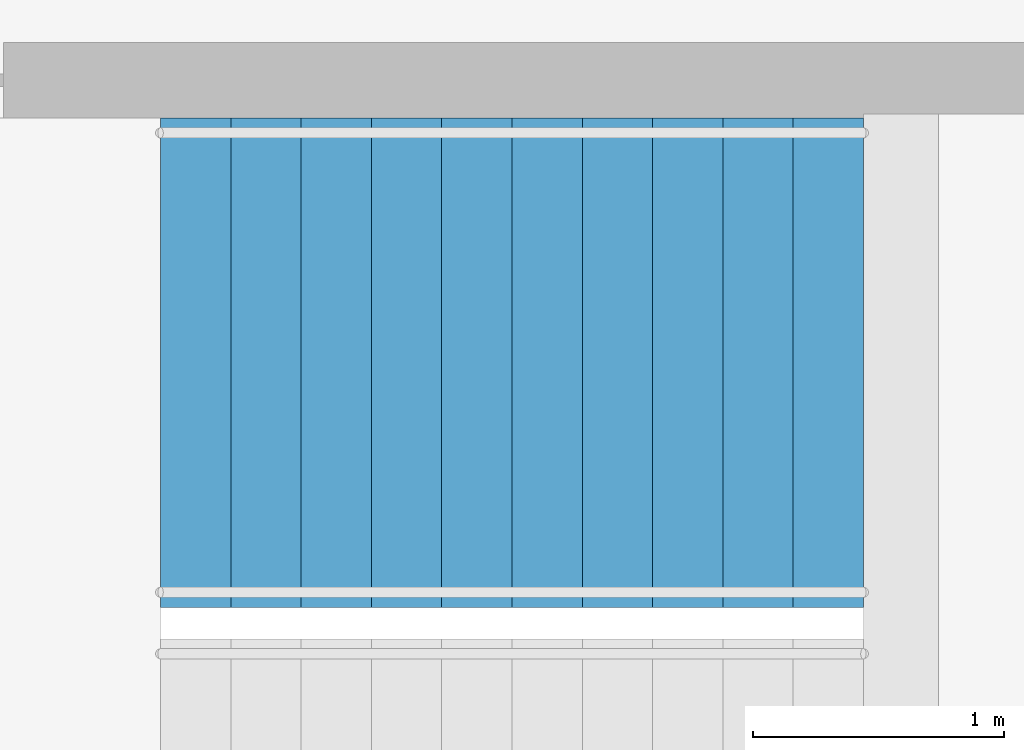
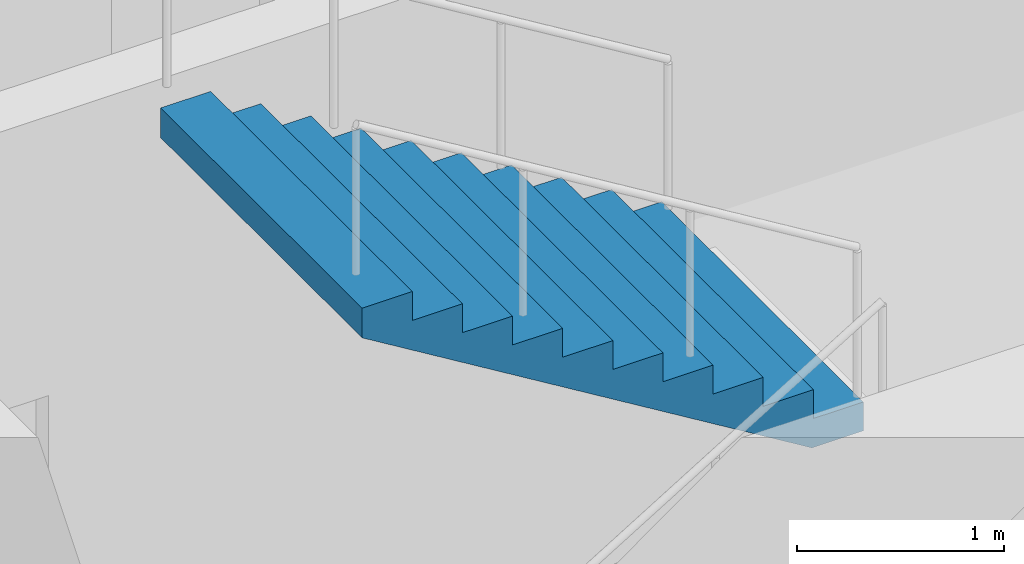
# One storey, part 19 of 22: 1 stair flight, 1 element without a shape of its own.
"""IFC4 building model written with IfcOpenShell, lengths in metres."""

import ifcopenshell
import ifcopenshell.guid

model = None  # the IFC model being written
_history = None  # IfcOwnerHistory: only IFC2X3 demands one
_inside = {}  # id of a spatial element -> (the spatial element, [elements in it])
_under = {}  # id of a project, library or spatial element -> (it, [spatial elements below it])
_declared = {}  # id of a project -> (the project, [libraries it declares])
_typed = {}  # id of a type object -> (the type object, [elements of that type])
_made_of = {}  # id of a material, layer set ... -> (it, [elements and type objects made of it])


def new_model(schema):
    """Start an empty IFC model of exactly this schema.

    Asked for "IFC4X3", IfcOpenShell would pick the latest addendum, in which some entities
    have other attributes; the version numbers below select the first issue.
    IFC2X3 requires an IfcOwnerHistory on every rooted entity: one is made here for all.
    """
    global model, _history
    if schema == "IFC4X3":
        model = ifcopenshell.file(schema_version=(4, 3, 0, 0))
    else:
        model = ifcopenshell.file(schema=schema)
    _inside.clear()
    _under.clear()
    _declared.clear()
    _typed.clear()
    _made_of.clear()
    _history = None
    if model.schema == "IFC2X3":
        org = make("IfcOrganization", Name="unknown")
        user = make(
            "IfcPersonAndOrganization",
            ThePerson=make("IfcPerson", FamilyName="unknown"),
            TheOrganization=org,
        )
        app = make(
            "IfcApplication",
            ApplicationDeveloper=org,
            Version="unknown",
            ApplicationFullName="unknown",
            ApplicationIdentifier="unknown",
        )
        _history = make(
            "IfcOwnerHistory",
            OwningUser=user,
            OwningApplication=app,
            ChangeAction="ADDED",
            CreationDate=0,
        )
    return model


def make(cls, **values):
    """One entity of the class cls with the attributes given. An attribute that is None is left unset."""
    return model.create_entity(
        cls, **{name: value for name, value in values.items() if value is not None}
    )


def rooted(cls, **values):
    """An entity with a GlobalId (a new one), such as an element, a storey or a relation."""
    return make(cls, GlobalId=ifcopenshell.guid.new(), OwnerHistory=_history, **values)


def si_unit(unit_type, name, prefix=None):
    """IfcSIUnit, for example si_unit("LENGTHUNIT", "METRE", prefix="MILLI")."""
    return make("IfcSIUnit", UnitType=unit_type, Prefix=prefix, Name=name)


def assignment(units):
    """IfcUnitAssignment: the units of a project."""
    return None if units is None else make("IfcUnitAssignment", Units=units)


def point(xyz):
    """IfcCartesianPoint."""
    return None if xyz is None else make("IfcCartesianPoint", Coordinates=xyz)


def direction(xyz):
    """IfcDirection."""
    return None if xyz is None else make("IfcDirection", DirectionRatios=xyz)


def frame(location, z_axis=None, x_axis=None):
    """IfcAxis2Placement3D, a coordinate frame: its origin and axes. An axis left out is left unset."""
    return make(
        "IfcAxis2Placement3D",
        Location=point(location),
        Axis=direction(z_axis),
        RefDirection=direction(x_axis),
    )


def origin():
    """The frame at (0, 0, 0) with its axes left unset."""
    return frame((0.0, 0.0, 0.0))


def place(relative_to, where):
    """IfcLocalPlacement: puts the frame where relative to a parent placement (None: the world)."""
    return make(
        "IfcLocalPlacement", PlacementRelTo=relative_to, RelativePlacement=where
    )


def context(
    kind, dimensions, precision=None, world=None, true_north=None, identifier=None
):
    """IfcGeometricRepresentationContext, for example the 3D "Model" context."""
    return make(
        "IfcGeometricRepresentationContext",
        ContextIdentifier=identifier,
        ContextType=kind,
        CoordinateSpaceDimension=dimensions,
        Precision=precision,
        WorldCoordinateSystem=world,
        TrueNorth=true_north,
    )


def subcontext(parent, identifier, kind, view, scale=None):
    """IfcGeometricRepresentationSubContext, for example "Body" below "Model"."""
    return make(
        "IfcGeometricRepresentationSubContext",
        ContextIdentifier=identifier,
        ContextType=kind,
        ParentContext=parent,
        TargetScale=scale,
        TargetView=view,
    )


def project(units=None, contexts=None):
    """IfcProject with its units and contexts."""
    return rooted(
        "IfcProject",
        Name="project",
        RepresentationContexts=contexts,
        UnitsInContext=assignment(units),
    )


def spatial(cls, under=None, at=None, **own):
    """A site, building, storey or space (cls), placed at a placement, below another one or the project."""
    s = rooted(cls, ObjectPlacement=at, **own)
    if under is not None:
        _under.setdefault(under.id(), (under, []))[1].append(s)
    return s


def point_list(points):
    """IfcCartesianPointList2D or 3D."""
    cls = (
        "IfcCartesianPointList2D" if len(points[0]) == 2 else "IfcCartesianPointList3D"
    )
    return make(cls, CoordList=points)


def triangles(points, corners, closed=None, point_numbers=None):
    """IfcTriangulatedFaceSet: each triangle names its three corners, points numbered from 1."""
    return make(
        "IfcTriangulatedFaceSet",
        Coordinates=point_list(points),
        Closed=closed,
        CoordIndex=corners,
        PnIndex=point_numbers,
    )


def shape(context_of_items, identifier, shape_type, items):
    """IfcShapeRepresentation: the items that make up one representation, for example the "Body"."""
    return make(
        "IfcShapeRepresentation",
        ContextOfItems=context_of_items,
        RepresentationIdentifier=identifier,
        RepresentationType=shape_type,
        Items=items,
    )


def material(Name=None, Category=None):
    """IfcMaterial."""
    return make("IfcMaterial", Name=Name, Category=Category)


def made_of(thing, what):
    """Note that an element or type object is made of a material, layer set ...; save() writes the relation."""
    if what is not None:
        _made_of.setdefault(what.id(), (what, []))[1].append(thing)
    return thing


def type_object(cls, material=None, **own):
    """A type object (cls), such as IfcWallType, which elements share."""
    return made_of(rooted(cls, **own), material)


def element(
    cls,
    number,
    at=None,
    inside=None,
    cuts=None,
    type_object=None,
    material=None,
    context=None,
    identifier="Body",
    shape_type=None,
    held_by="IfcProductDefinitionShape",
    body=None,
    shapes=None,
    **own,
):
    """One element of the class cls, such as IfcWall. Its Tag is "e" and its number.

    at: its placement. inside: the storey or other place that contains it. cuts: it is an
    opening in that element (IfcRelVoidsElement). A single representation is given by context,
    identifier, shape_type and body (its items); several are given by shapes. held_by: the class
    of the entity that holds the representations. save() writes the other relations.
    """
    e = rooted(cls, Tag="e%d" % number, ObjectPlacement=at, **own)
    if body is not None:
        shapes = [shape(context, identifier, shape_type, body)]
    if shapes is not None:
        e.Representation = make(held_by, Representations=shapes)
    if inside is not None:
        _inside.setdefault(inside.id(), (inside, []))[1].append(e)
    if cuts is not None:
        rooted(
            "IfcRelVoidsElement", RelatingBuildingElement=cuts, RelatedOpeningElement=e
        )
    if type_object is not None:
        _typed.setdefault(type_object.id(), (type_object, []))[1].append(e)
    return made_of(e, material)


def aggregate(whole, parts):
    """IfcRelAggregates: a whole, such as a stair, and the parts it consists of."""
    return rooted("IfcRelAggregates", RelatingObject=whole, RelatedObjects=parts)


def save(model, path):
    """Write the relations noted so far, then the file.

    IfcRelAggregates (storeys below a building ...), IfcRelContainedInSpatialStructure (elements
    in a storey), IfcRelDefinesByType, IfcRelAssociatesMaterial and IfcRelDeclares: one each for
    every whole, place, type object, material and project.
    """
    for whole, parts in _under.values():
        aggregate(whole, parts)
    for where, things in _inside.values():
        rooted(
            "IfcRelContainedInSpatialStructure",
            RelatedElements=things,
            RelatingStructure=where,
        )
    for kind, things in _typed.values():
        rooted("IfcRelDefinesByType", RelatedObjects=things, RelatingType=kind)
    for what, things in _made_of.values():
        rooted("IfcRelAssociatesMaterial", RelatedObjects=things, RelatingMaterial=what)
    for by, libraries in _declared.values():
        rooted("IfcRelDeclares", RelatingContext=by, RelatedDefinitions=libraries)
    model.write(path)


model = new_model("IFC4")

# Units and contexts
model_context = context("Model", 3, precision=1e-05, world=origin(), true_north=direction((0.0, 1.0)))
body_context = subcontext(model_context, "Body", "Model", "MODEL_VIEW")
ifc_project = project(units=[si_unit("LENGTHUNIT", "METRE"), si_unit("AREAUNIT", "SQUARE_METRE"), si_unit("VOLUMEUNIT", "CUBIC_METRE"), si_unit("PLANEANGLEUNIT", "RADIAN"), si_unit("MASSUNIT", "GRAM", prefix="KILO")], contexts=[model_context])

# Site, building, storey
site_placement = place(None, origin())
site = spatial("IfcSite", under=ifc_project, at=site_placement, CompositionType="ELEMENT")
building_placement = place(site_placement, origin())
building = spatial("IfcBuilding", under=site, at=building_placement, Name="Orbita Commons", CompositionType="ELEMENT")
storey_placement = place(building_placement, frame((0.0, 0.0, 159.85009765625)))
storey = spatial("IfcBuildingStorey", under=building, at=storey_placement, Name="L39", CompositionType="ELEMENT", Elevation=159.85009765625)

# Stair, stair flight
ifc_material_1 = material(Name="Precast concrete C40/50", Category="concrete")
stair_type = type_object("IfcStairType", Name="Exit stair S1 2 flights 11 risers 170", PredefinedType="HALF_TURN_STAIR", material=ifc_material_1)
stair_placement = place(storey_placement, origin())
stair = element("IfcStair", 1, at=stair_placement, inside=storey, type_object=stair_type, Name="Exit stair S1 L39", PredefinedType="HALF_TURN_STAIR")
ifc_material_2 = material(Name="Precast concrete C40/50", Category="concrete")
stair_flight_type = type_object("IfcStairFlightType", Name="Stair flight 11 risers 170 x 280", PredefinedType="STRAIGHT", material=ifc_material_2)
stair_flight_placement = place(storey_placement, frame((23.25, 29.27490234375, 1.875), z_axis=(0.0, 0.0, 1.0), x_axis=(-1.0, 0.0, 0.0)))
stair_flight = element("IfcStairFlight", 2, at=stair_flight_placement, type_object=stair_flight_type, Name="S1 flight 2", NumberOfRisers=11, NumberOfTreads=10, PredefinedType="STRAIGHT", RiserHeight=0.170454545, TreadLength=0.28, context=body_context, shape_type="Tessellation", body=[
    triangles([(0.0, 0.974976, 0.0), (0.0, 0.974976, 0.021307), (0.0, 0.81248, 0.021307), (0.0, 0.81248, 0.0), (0.0, 0.649984, 0.021307), (0.0, 0.649984, 0.0), (0.0, 0.487488, 0.021307), (0.0, 0.487488, 0.0), (0.0, 0.324992, 0.021307), (0.0, 0.324992, 0.0), (0.0, 0.162496, 0.021307), (0.0, 0.162496, 0.0), (0.0, 0.0, 0.021307), (0.0, 0.0, 0.0), (0.0, -0.162496, 0.021307), (0.0, -0.162496, 0.0), (0.0, -0.324992, 0.021307), (0.0, -0.324992, 0.0), (0.0, -0.487488, 0.021307), (0.0, -0.487488, 0.0), (0.0, -0.649984, 0.021307), (0.0, -0.649984, 0.0), (0.0, -0.81248, 0.021307), (0.0, -0.81248, 0.0), (0.0, -0.974976, 0.021307), (0.0, -0.974976, 0.0), (0.0, 0.974976, 0.042614), (0.0, 0.81248, 0.042614), (0.0, 0.649984, 0.042614), (0.0, 0.487488, 0.042614), (0.0, 0.324992, 0.042614), (0.0, 0.162496, 0.042614), (0.0, 0.0, 0.042614), (0.0, -0.162496, 0.042614), (0.0, -0.324992, 0.042614), (0.0, -0.487488, 0.042614), (0.0, -0.649984, 0.042614), (0.0, -0.81248, 0.042614), (0.0, -0.974976, 0.042614), (0.0, 0.974976, 0.06392), (0.0, 0.81248, 0.06392), (0.0, 0.649984, 0.06392), (0.0, 0.487488, 0.06392), (0.0, 0.324992, 0.06392), (0.0, 0.162496, 0.06392), (0.0, 0.0, 0.06392), (0.0, -0.162496, 0.06392), (0.0, -0.324992, 0.06392), (0.0, -0.487488, 0.06392), (0.0, -0.649984, 0.06392), (0.0, -0.81248, 0.06392), (0.0, -0.974976, 0.06392), (0.0, 0.974976, 0.085227), (0.0, 0.81248, 0.085227), (0.0, 0.649984, 0.085227), (0.0, 0.487488, 0.085227), (0.0, 0.324992, 0.085227), (0.0, 0.162496, 0.085227), (0.0, 0.0, 0.085227), (0.0, -0.162496, 0.085227), (0.0, -0.324992, 0.085227), (0.0, -0.487488, 0.085227), (0.0, -0.649984, 0.085227), (0.0, -0.81248, 0.085227), (0.0, -0.974976, 0.085227), (0.0, 0.974976, 0.106534), (0.0, 0.81248, 0.106534), (0.0, 0.649984, 0.106534), (0.0, 0.487488, 0.106534), (0.0, 0.324992, 0.106534), (0.0, 0.162496, 0.106534), (0.0, 0.0, 0.106534), (0.0, -0.162496, 0.106534), (0.0, -0.324992, 0.106534), (0.0, -0.487488, 0.106534), (0.0, -0.649984, 0.106534), (0.0, -0.81248, 0.106534), (0.0, -0.974976, 0.106534), (0.0, 0.974976, 0.127841), (0.0, 0.81248, 0.127841), (0.0, 0.649984, 0.127841), (0.0, 0.487488, 0.127841), (0.0, 0.324992, 0.127841), (0.0, 0.162496, 0.127841), (0.0, 0.0, 0.127841), (0.0, -0.162496, 0.127841), (0.0, -0.324992, 0.127841), (0.0, -0.487488, 0.127841), (0.0, -0.649984, 0.127841), (0.0, -0.81248, 0.127841), (0.0, -0.974976, 0.127841), (0.0, 0.974976, 0.149148), (0.0, 0.81248, 0.149148), (0.0, 0.649984, 0.149148), (0.0, 0.487488, 0.149148), (0.0, 0.324992, 0.149148), (0.0, 0.162496, 0.149148), (0.0, 0.0, 0.149148), (0.0, -0.162496, 0.149148), (0.0, -0.324992, 0.149148), (0.0, -0.487488, 0.149148), (0.0, -0.649984, 0.149148), (0.0, -0.81248, 0.149148), (0.0, -0.974976, 0.149148), (0.0, 0.974976, 0.170455), (0.0, 0.81248, 0.170455), (0.0, 0.649984, 0.170455), (0.0, 0.487488, 0.170455), (0.0, 0.324992, 0.170455), (0.0, 0.162496, 0.170455), (0.0, 0.0, 0.170455), (0.0, -0.162496, 0.170455), (0.0, -0.324992, 0.170455), (0.0, -0.487488, 0.170455), (0.0, -0.649984, 0.170455), (0.0, -0.81248, 0.170455), (0.0, -0.974976, 0.170455), (0.28, 0.974976, 0.170455), (0.28, 0.81248, 0.170455), (0.28, 0.649984, 0.170455), (0.28, 0.487488, 0.170455), (0.28, 0.324992, 0.170455), (0.28, 0.162496, 0.170455), (0.28, 0.0, 0.170455), (0.28, -0.162496, 0.170455), (0.28, -0.324992, 0.170455), (0.28, -0.487488, 0.170455), (0.28, -0.649984, 0.170455), (0.28, -0.81248, 0.170455), (0.28, -0.974976, 0.170455), (0.28, 0.974976, 0.340909), (0.28, 0.81248, 0.340909), (0.28, 0.649984, 0.340909), (0.28, 0.487488, 0.340909), (0.28, 0.324992, 0.340909), (0.28, 0.162496, 0.340909), (0.28, 0.0, 0.340909), (0.28, -0.162496, 0.340909), (0.28, -0.324992, 0.340909), (0.28, -0.487488, 0.340909), (0.28, -0.649984, 0.340909), (0.28, -0.81248, 0.340909), (0.28, -0.974976, 0.340909), (0.56, 0.974976, 0.340909), (0.56, 0.81248, 0.340909), (0.56, 0.649984, 0.340909), (0.56, 0.487488, 0.340909), (0.56, 0.324992, 0.340909), (0.56, 0.162496, 0.340909), (0.56, 0.0, 0.340909), (0.56, -0.162496, 0.340909), (0.56, -0.324992, 0.340909), (0.56, -0.487488, 0.340909), (0.56, -0.649984, 0.340909), (0.56, -0.81248, 0.340909), (0.56, -0.974976, 0.340909), (0.56, 0.974976, 0.511364), (0.56, 0.81248, 0.511364), (0.56, 0.649984, 0.511364), (0.56, 0.487488, 0.511364), (0.56, 0.324992, 0.511364), (0.56, 0.162496, 0.511364), (0.56, 0.0, 0.511364), (0.56, -0.162496, 0.511364), (0.56, -0.324992, 0.511364), (0.56, -0.487488, 0.511364), (0.56, -0.649984, 0.511364), (0.56, -0.81248, 0.511364), (0.56, -0.974976, 0.511364), (0.84, 0.974976, 0.511364), (0.84, 0.81248, 0.511364), (0.84, 0.649984, 0.511364), (0.84, 0.487488, 0.511364), (0.84, 0.324992, 0.511364), (0.84, 0.162496, 0.511364), (0.84, 0.0, 0.511364), (0.84, -0.162496, 0.511364), (0.84, -0.324992, 0.511364), (0.84, -0.487488, 0.511364), (0.84, -0.649984, 0.511364), (0.84, -0.81248, 0.511364), (0.84, -0.974976, 0.511364), (0.84, 0.974976, 0.681818), (0.84, 0.81248, 0.681818), (0.84, 0.649984, 0.681818), (0.84, 0.487488, 0.681818), (0.84, 0.324992, 0.681818), (0.84, 0.162496, 0.681818), (0.84, 0.0, 0.681818), (0.84, -0.162496, 0.681818), (0.84, -0.324992, 0.681818), (0.84, -0.487488, 0.681818), (0.84, -0.649984, 0.681818), (0.84, -0.81248, 0.681818), (0.84, -0.974976, 0.681818), (1.12, 0.974976, 0.681818), (1.12, 0.81248, 0.681818), (1.12, 0.649984, 0.681818), (1.12, 0.487488, 0.681818), (1.12, 0.324992, 0.681818), (1.12, 0.162496, 0.681818), (1.12, 0.0, 0.681818), (1.12, -0.162496, 0.681818), (1.12, -0.324992, 0.681818), (1.12, -0.487488, 0.681818), (1.12, -0.649984, 0.681818), (1.12, -0.81248, 0.681818), (1.12, -0.974976, 0.681818), (1.12, 0.974976, 0.852273), (1.12, 0.81248, 0.852273), (1.12, 0.649984, 0.852273), (1.12, 0.487488, 0.852273), (1.12, 0.324992, 0.852273), (1.12, 0.162496, 0.852273), (1.12, 0.0, 0.852273), (1.12, -0.162496, 0.852273), (1.12, -0.324992, 0.852273), (1.12, -0.487488, 0.852273), (1.12, -0.649984, 0.852273), (1.12, -0.81248, 0.852273), (1.12, -0.974976, 0.852273), (1.4, 0.974976, 0.852273), (1.4, 0.81248, 0.852273), (1.4, 0.649984, 0.852273), (1.4, 0.487488, 0.852273), (1.4, 0.324992, 0.852273), (1.4, 0.162496, 0.852273), (1.4, 0.0, 0.852273), (1.4, -0.162496, 0.852273), (1.4, -0.324992, 0.852273), (1.4, -0.487488, 0.852273), (1.4, -0.649984, 0.852273), (1.4, -0.81248, 0.852273), (1.4, -0.974976, 0.852273), (1.4, 0.974976, 1.022727), (1.4, 0.81248, 1.022727), (1.4, 0.649984, 1.022727), (1.4, 0.487488, 1.022727), (1.4, 0.324992, 1.022727), (1.4, 0.162496, 1.022727), (1.4, 0.0, 1.022727), (1.4, -0.162496, 1.022727), (1.4, -0.324992, 1.022727), (1.4, -0.487488, 1.022727), (1.4, -0.649984, 1.022727), (1.4, -0.81248, 1.022727), (1.4, -0.974976, 1.022727), (1.68, 0.974976, 1.022727), (1.68, 0.81248, 1.022727), (1.68, 0.649984, 1.022727), (1.68, 0.487488, 1.022727), (1.68, 0.324992, 1.022727), (1.68, 0.162496, 1.022727), (1.68, 0.0, 1.022727), (1.68, -0.162496, 1.022727), (1.68, -0.324992, 1.022727), (1.68, -0.487488, 1.022727), (1.68, -0.649984, 1.022727), (1.68, -0.81248, 1.022727), (1.68, -0.974976, 1.022727), (1.68, 0.974976, 1.193182), (1.68, 0.81248, 1.193182), (1.68, 0.649984, 1.193182), (1.68, 0.487488, 1.193182), (1.68, 0.324992, 1.193182), (1.68, 0.162496, 1.193182), (1.68, 0.0, 1.193182), (1.68, -0.162496, 1.193182), (1.68, -0.324992, 1.193182), (1.68, -0.487488, 1.193182), (1.68, -0.649984, 1.193182), (1.68, -0.81248, 1.193182), (1.68, -0.974976, 1.193182), (1.96, 0.974976, 1.193182), (1.96, 0.81248, 1.193182), (1.96, 0.649984, 1.193182), (1.96, 0.487488, 1.193182), (1.96, 0.324992, 1.193182), (1.96, 0.162496, 1.193182), (1.96, 0.0, 1.193182), (1.96, -0.162496, 1.193182), (1.96, -0.324992, 1.193182), (1.96, -0.487488, 1.193182), (1.96, -0.649984, 1.193182), (1.96, -0.81248, 1.193182), (1.96, -0.974976, 1.193182), (1.96, 0.974976, 1.363636), (1.96, 0.81248, 1.363636), (1.96, 0.649984, 1.363636), (1.96, 0.487488, 1.363636), (1.96, 0.324992, 1.363636), (1.96, 0.162496, 1.363636), (1.96, 0.0, 1.363636), (1.96, -0.162496, 1.363636), (1.96, -0.324992, 1.363636), (1.96, -0.487488, 1.363636), (1.96, -0.649984, 1.363636), (1.96, -0.81248, 1.363636), (1.96, -0.974976, 1.363636), (2.24, 0.974976, 1.363636), (2.24, 0.81248, 1.363636), (2.24, 0.649984, 1.363636), (2.24, 0.487488, 1.363636), (2.24, 0.324992, 1.363636), (2.24, 0.162496, 1.363636), (2.24, 0.0, 1.363636), (2.24, -0.162496, 1.363636), (2.24, -0.324992, 1.363636), (2.24, -0.487488, 1.363636), (2.24, -0.649984, 1.363636), (2.24, -0.81248, 1.363636), (2.24, -0.974976, 1.363636), (2.24, 0.974976, 1.534091), (2.24, 0.81248, 1.534091), (2.24, 0.649984, 1.534091), (2.24, 0.487488, 1.534091), (2.24, 0.324992, 1.534091), (2.24, 0.162496, 1.534091), (2.24, 0.0, 1.534091), (2.24, -0.162496, 1.534091), (2.24, -0.324992, 1.534091), (2.24, -0.487488, 1.534091), (2.24, -0.649984, 1.534091), (2.24, -0.81248, 1.534091), (2.24, -0.974976, 1.534091), (2.52, 0.974976, 1.534091), (2.52, 0.81248, 1.534091), (2.52, 0.649984, 1.534091), (2.52, 0.487488, 1.534091), (2.52, 0.324992, 1.534091), (2.52, 0.162496, 1.534091), (2.52, 0.0, 1.534091), (2.52, -0.162496, 1.534091), (2.52, -0.324992, 1.534091), (2.52, -0.487488, 1.534091), (2.52, -0.649984, 1.534091), (2.52, -0.81248, 1.534091), (2.52, -0.974976, 1.534091), (2.52, 0.974976, 1.704545), (2.52, 0.81248, 1.704545), (2.52, 0.649984, 1.704545), (2.52, 0.487488, 1.704545), (2.52, 0.324992, 1.704545), (2.52, 0.162496, 1.704545), (2.52, 0.0, 1.704545), (2.52, -0.162496, 1.704545), (2.52, -0.324992, 1.704545), (2.52, -0.487488, 1.704545), (2.52, -0.649984, 1.704545), (2.52, -0.81248, 1.704545), (2.52, -0.974976, 1.704545), (2.8, 0.974976, 1.704545), (2.8, 0.81248, 1.704545), (2.8, 0.649984, 1.704545), (2.8, 0.487488, 1.704545), (2.8, 0.324992, 1.704545), (2.8, 0.162496, 1.704545), (2.8, 0.0, 1.704545), (2.8, -0.162496, 1.704545), (2.8, -0.324992, 1.704545), (2.8, -0.487488, 1.704545), (2.8, -0.649984, 1.704545), (2.8, -0.81248, 1.704545), (2.8, -0.974976, 1.704545), (2.8, 0.974976, 1.682609), (2.8, 0.81248, 1.682609), (2.8, 0.649984, 1.682609), (2.8, 0.487488, 1.682609), (2.8, 0.324992, 1.682609), (2.8, 0.162496, 1.682609), (2.8, 0.0, 1.682609), (2.8, -0.162496, 1.682609), (2.8, -0.324992, 1.682609), (2.8, -0.487488, 1.682609), (2.8, -0.649984, 1.682609), (2.8, -0.81248, 1.682609), (2.8, -0.974976, 1.682609), (2.8, 0.974976, 1.660672), (2.8, 0.81248, 1.660672), (2.8, 0.649984, 1.660672), (2.8, 0.487488, 1.660672), (2.8, 0.324992, 1.660672), (2.8, 0.162496, 1.660672), (2.8, 0.0, 1.660672), (2.8, -0.162496, 1.660672), (2.8, -0.324992, 1.660672), (2.8, -0.487488, 1.660672), (2.8, -0.649984, 1.660672), (2.8, -0.81248, 1.660672), (2.8, -0.974976, 1.660672), (2.8, 0.974976, 1.638735), (2.8, 0.81248, 1.638735), (2.8, 0.649984, 1.638735), (2.8, 0.487488, 1.638735), (2.8, 0.324992, 1.638735), (2.8, 0.162496, 1.638735), (2.8, 0.0, 1.638735), (2.8, -0.162496, 1.638735), (2.8, -0.324992, 1.638735), (2.8, -0.487488, 1.638735), (2.8, -0.649984, 1.638735), (2.8, -0.81248, 1.638735), (2.8, -0.974976, 1.638735), (2.8, 0.974976, 1.616798), (2.8, 0.81248, 1.616798), (2.8, 0.649984, 1.616798), (2.8, 0.487488, 1.616798), (2.8, 0.324992, 1.616798), (2.8, 0.162496, 1.616798), (2.8, 0.0, 1.616798), (2.8, -0.162496, 1.616798), (2.8, -0.324992, 1.616798), (2.8, -0.487488, 1.616798), (2.8, -0.649984, 1.616798), (2.8, -0.81248, 1.616798), (2.8, -0.974976, 1.616798), (2.8, 0.974976, 1.594861), (2.8, 0.81248, 1.594861), (2.8, 0.649984, 1.594861), (2.8, 0.487488, 1.594861), (2.8, 0.324992, 1.594861), (2.8, 0.162496, 1.594861), (2.8, 0.0, 1.594861), (2.8, -0.162496, 1.594861), (2.8, -0.324992, 1.594861), (2.8, -0.487488, 1.594861), (2.8, -0.649984, 1.594861), (2.8, -0.81248, 1.594861), (2.8, -0.974976, 1.594861), (2.8, 0.974976, 1.572925), (2.8, 0.81248, 1.572925), (2.8, 0.649984, 1.572925), (2.8, 0.487488, 1.572925), (2.8, 0.324992, 1.572925), (2.8, 0.162496, 1.572925), (2.8, 0.0, 1.572925), (2.8, -0.162496, 1.572925), (2.8, -0.324992, 1.572925), (2.8, -0.487488, 1.572925), (2.8, -0.649984, 1.572925), (2.8, -0.81248, 1.572925), (2.8, -0.974976, 1.572925), (2.8, 0.974976, 1.550988), (2.8, 0.81248, 1.550988), (2.8, 0.649984, 1.550988), (2.8, 0.487488, 1.550988), (2.8, 0.324992, 1.550988), (2.8, 0.162496, 1.550988), (2.8, 0.0, 1.550988), (2.8, -0.162496, 1.550988), (2.8, -0.324992, 1.550988), (2.8, -0.487488, 1.550988), (2.8, -0.649984, 1.550988), (2.8, -0.81248, 1.550988), (2.8, -0.974976, 1.550988), (2.8, 0.974976, 1.529051), (2.8, 0.81248, 1.529051), (2.8, 0.649984, 1.529051), (2.8, 0.487488, 1.529051), (2.8, 0.324992, 1.529051), (2.8, 0.162496, 1.529051), (2.8, 0.0, 1.529051), (2.8, -0.162496, 1.529051), (2.8, -0.324992, 1.529051), (2.8, -0.487488, 1.529051), (2.8, -0.649984, 1.529051), (2.8, -0.81248, 1.529051), (2.8, -0.974976, 1.529051), (0.288279, 0.974976, 0.0), (0.288279, 0.81248, 0.0), (0.288279, 0.649984, 0.0), (0.288279, 0.487488, 0.0), (0.288279, 0.324992, 0.0), (0.288279, 0.162496, 0.0), (0.288279, 0.0, 0.0), (0.288279, -0.162496, 0.0), (0.288279, -0.324992, 0.0), (0.288279, -0.487488, 0.0), (0.288279, -0.649984, 0.0), (0.288279, -0.81248, 0.0), (0.288279, -0.974976, 0.0)], [[3, 2, 1], [4, 3, 1], [5, 3, 4], [6, 5, 4], [7, 5, 6], [8, 7, 6], [9, 7, 8], [10, 9, 8], [11, 9, 10], [12, 11, 10], [13, 11, 12], [14, 13, 12], [15, 13, 14], [16, 15, 14], [17, 15, 16], [18, 17, 16], [19, 17, 18], [20, 19, 18], [21, 19, 20], [22, 21, 20], [23, 21, 22], [24, 23, 22], [25, 23, 24], [26, 25, 24], [28, 27, 2], [3, 28, 2], [29, 28, 3], [5, 29, 3], [30, 29, 5], [7, 30, 5], [31, 30, 7], [9, 31, 7], [32, 31, 9], [11, 32, 9], [33, 32, 11], [13, 33, 11], [34, 33, 13], [15, 34, 13], [35, 34, 15], [17, 35, 15], [36, 35, 17], [19, 36, 17], [37, 36, 19], [21, 37, 19], [38, 37, 21], [23, 38, 21], [39, 38, 23], [25, 39, 23], [41, 40, 27], [28, 41, 27], [42, 41, 28], [29, 42, 28], [43, 42, 29], [30, 43, 29], [44, 43, 30], [31, 44, 30], [45, 44, 31], [32, 45, 31], [46, 45, 32], [33, 46, 32], [47, 46, 33], [34, 47, 33], [48, 47, 34], [35, 48, 34], [49, 48, 35], [36, 49, 35], [50, 49, 36], [37, 50, 36], [51, 50, 37], [38, 51, 37], [52, 51, 38], [39, 52, 38], [54, 53, 40], [41, 54, 40], [55, 54, 41], [42, 55, 41], [56, 55, 42], [43, 56, 42], [57, 56, 43], [44, 57, 43], [58, 57, 44], [45, 58, 44], [59, 58, 45], [46, 59, 45], [60, 59, 46], [47, 60, 46], [61, 60, 47], [48, 61, 47], [62, 61, 48], [49, 62, 48], [63, 62, 49], [50, 63, 49], [64, 63, 50], [51, 64, 50], [65, 64, 51], [52, 65, 51], [67, 66, 53], [54, 67, 53], [68, 67, 54], [55, 68, 54], [69, 68, 55], [56, 69, 55], [70, 69, 56], [57, 70, 56], [71, 70, 57], [58, 71, 57], [72, 71, 58], [59, 72, 58], [73, 72, 59], [60, 73, 59], [74, 73, 60], [61, 74, 60], [75, 74, 61], [62, 75, 61], [76, 75, 62], [63, 76, 62], [77, 76, 63], [64, 77, 63], [78, 77, 64], [65, 78, 64], [80, 79, 66], [67, 80, 66], [81, 80, 67], [68, 81, 67], [82, 81, 68], [69, 82, 68], [83, 82, 69], [70, 83, 69], [84, 83, 70], [71, 84, 70], [85, 84, 71], [72, 85, 71], [86, 85, 72], [73, 86, 72], [87, 86, 73], [74, 87, 73], [88, 87, 74], [75, 88, 74], [89, 88, 75], [76, 89, 75], [90, 89, 76], [77, 90, 76], [91, 90, 77], [78, 91, 77], [93, 92, 79], [80, 93, 79], [94, 93, 80], [81, 94, 80], [95, 94, 81], [82, 95, 81], [96, 95, 82], [83, 96, 82], [97, 96, 83], [84, 97, 83], [98, 97, 84], [85, 98, 84], [99, 98, 85], [86, 99, 85], [100, 99, 86], [87, 100, 86], [101, 100, 87], [88, 101, 87], [102, 101, 88], [89, 102, 88], [103, 102, 89], [90, 103, 89], [104, 103, 90], [91, 104, 90], [106, 105, 92], [93, 106, 92], [107, 106, 93], [94, 107, 93], [108, 107, 94], [95, 108, 94], [109, 108, 95], [96, 109, 95], [110, 109, 96], [97, 110, 96], [111, 110, 97], [98, 111, 97], [112, 111, 98], [99, 112, 98], [113, 112, 99], [100, 113, 99], [114, 113, 100], [101, 114, 100], [115, 114, 101], [102, 115, 101], [116, 115, 102], [103, 116, 102], [117, 116, 103], [104, 117, 103], [119, 118, 105], [106, 119, 105], [120, 119, 106], [107, 120, 106], [121, 120, 107], [108, 121, 107], [122, 121, 108], [109, 122, 108], [123, 122, 109], [110, 123, 109], [124, 123, 110], [111, 124, 110], [125, 124, 111], [112, 125, 111], [126, 125, 112], [113, 126, 112], [127, 126, 113], [114, 127, 113], [128, 127, 114], [115, 128, 114], [129, 128, 115], [116, 129, 115], [130, 129, 116], [117, 130, 116], [132, 131, 118], [119, 132, 118], [133, 132, 119], [120, 133, 119], [134, 133, 120], [121, 134, 120], [135, 134, 121], [122, 135, 121], [136, 135, 122], [123, 136, 122], [137, 136, 123], [124, 137, 123], [138, 137, 124], [125, 138, 124], [139, 138, 125], [126, 139, 125], [140, 139, 126], [127, 140, 126], [141, 140, 127], [128, 141, 127], [142, 141, 128], [129, 142, 128], [143, 142, 129], [130, 143, 129], [145, 144, 131], [132, 145, 131], [146, 145, 132], [133, 146, 132], [147, 146, 133], [134, 147, 133], [148, 147, 134], [135, 148, 134], [149, 148, 135], [136, 149, 135], [150, 149, 136], [137, 150, 136], [151, 150, 137], [138, 151, 137], [152, 151, 138], [139, 152, 138], [153, 152, 139], [140, 153, 139], [154, 153, 140], [141, 154, 140], [155, 154, 141], [142, 155, 141], [156, 155, 142], [143, 156, 142], [158, 157, 144], [145, 158, 144], [159, 158, 145], [146, 159, 145], [160, 159, 146], [147, 160, 146], [161, 160, 147], [148, 161, 147], [162, 161, 148], [149, 162, 148], [163, 162, 149], [150, 163, 149], [164, 163, 150], [151, 164, 150], [165, 164, 151], [152, 165, 151], [166, 165, 152], [153, 166, 152], [167, 166, 153], [154, 167, 153], [168, 167, 154], [155, 168, 154], [169, 168, 155], [156, 169, 155], [171, 170, 157], [158, 171, 157], [172, 171, 158], [159, 172, 158], [173, 172, 159], [160, 173, 159], [174, 173, 160], [161, 174, 160], [175, 174, 161], [162, 175, 161], [176, 175, 162], [163, 176, 162], [177, 176, 163], [164, 177, 163], [178, 177, 164], [165, 178, 164], [179, 178, 165], [166, 179, 165], [180, 179, 166], [167, 180, 166], [181, 180, 167], [168, 181, 167], [182, 181, 168], [169, 182, 168], [184, 183, 170], [171, 184, 170], [185, 184, 171], [172, 185, 171], [186, 185, 172], [173, 186, 172], [187, 186, 173], [174, 187, 173], [188, 187, 174], [175, 188, 174], [189, 188, 175], [176, 189, 175], [190, 189, 176], [177, 190, 176], [191, 190, 177], [178, 191, 177], [192, 191, 178], [179, 192, 178], [193, 192, 179], [180, 193, 179], [194, 193, 180], [181, 194, 180], [195, 194, 181], [182, 195, 181], [197, 196, 183], [184, 197, 183], [198, 197, 184], [185, 198, 184], [199, 198, 185], [186, 199, 185], [200, 199, 186], [187, 200, 186], [201, 200, 187], [188, 201, 187], [202, 201, 188], [189, 202, 188], [203, 202, 189], [190, 203, 189], [204, 203, 190], [191, 204, 190], [205, 204, 191], [192, 205, 191], [206, 205, 192], [193, 206, 192], [207, 206, 193], [194, 207, 193], [208, 207, 194], [195, 208, 194], [210, 209, 196], [197, 210, 196], [211, 210, 197], [198, 211, 197], [212, 211, 198], [199, 212, 198], [213, 212, 199], [200, 213, 199], [214, 213, 200], [201, 214, 200], [215, 214, 201], [202, 215, 201], [216, 215, 202], [203, 216, 202], [217, 216, 203], [204, 217, 203], [218, 217, 204], [205, 218, 204], [219, 218, 205], [206, 219, 205], [220, 219, 206], [207, 220, 206], [221, 220, 207], [208, 221, 207], [223, 222, 209], [210, 223, 209], [224, 223, 210], [211, 224, 210], [225, 224, 211], [212, 225, 211], [226, 225, 212], [213, 226, 212], [227, 226, 213], [214, 227, 213], [228, 227, 214], [215, 228, 214], [229, 228, 215], [216, 229, 215], [230, 229, 216], [217, 230, 216], [231, 230, 217], [218, 231, 217], [232, 231, 218], [219, 232, 218], [233, 232, 219], [220, 233, 219], [234, 233, 220], [221, 234, 220], [236, 235, 222], [223, 236, 222], [237, 236, 223], [224, 237, 223], [238, 237, 224], [225, 238, 224], [239, 238, 225], [226, 239, 225], [240, 239, 226], [227, 240, 226], [241, 240, 227], [228, 241, 227], [242, 241, 228], [229, 242, 228], [243, 242, 229], [230, 243, 229], [244, 243, 230], [231, 244, 230], [245, 244, 231], [232, 245, 231], [246, 245, 232], [233, 246, 232], [247, 246, 233], [234, 247, 233], [249, 248, 235], [236, 249, 235], [250, 249, 236], [237, 250, 236], [251, 250, 237], [238, 251, 237], [252, 251, 238], [239, 252, 238], [253, 252, 239], [240, 253, 239], [254, 253, 240], [241, 254, 240], [255, 254, 241], [242, 255, 241], [256, 255, 242], [243, 256, 242], [257, 256, 243], [244, 257, 243], [258, 257, 244], [245, 258, 244], [259, 258, 245], [246, 259, 245], [260, 259, 246], [247, 260, 246], [262, 261, 248], [249, 262, 248], [263, 262, 249], [250, 263, 249], [264, 263, 250], [251, 264, 250], [265, 264, 251], [252, 265, 251], [266, 265, 252], [253, 266, 252], [267, 266, 253], [254, 267, 253], [268, 267, 254], [255, 268, 254], [269, 268, 255], [256, 269, 255], [270, 269, 256], [257, 270, 256], [271, 270, 257], [258, 271, 257], [272, 271, 258], [259, 272, 258], [273, 272, 259], [260, 273, 259], [275, 274, 261], [262, 275, 261], [276, 275, 262], [263, 276, 262], [277, 276, 263], [264, 277, 263], [278, 277, 264], [265, 278, 264], [279, 278, 265], [266, 279, 265], [280, 279, 266], [267, 280, 266], [281, 280, 267], [268, 281, 267], [282, 281, 268], [269, 282, 268], [283, 282, 269], [270, 283, 269], [284, 283, 270], [271, 284, 270], [285, 284, 271], [272, 285, 271], [286, 285, 272], [273, 286, 272], [288, 287, 274], [275, 288, 274], [289, 288, 275], [276, 289, 275], [290, 289, 276], [277, 290, 276], [291, 290, 277], [278, 291, 277], [292, 291, 278], [279, 292, 278], [293, 292, 279], [280, 293, 279], [294, 293, 280], [281, 294, 280], [295, 294, 281], [282, 295, 281], [296, 295, 282], [283, 296, 282], [297, 296, 283], [284, 297, 283], [298, 297, 284], [285, 298, 284], [299, 298, 285], [286, 299, 285], [301, 300, 287], [288, 301, 287], [302, 301, 288], [289, 302, 288], [303, 302, 289], [290, 303, 289], [304, 303, 290], [291, 304, 290], [305, 304, 291], [292, 305, 291], [306, 305, 292], [293, 306, 292], [307, 306, 293], [294, 307, 293], [308, 307, 294], [295, 308, 294], [309, 308, 295], [296, 309, 295], [310, 309, 296], [297, 310, 296], [311, 310, 297], [298, 311, 297], [312, 311, 298], [299, 312, 298], [314, 313, 300], [301, 314, 300], [315, 314, 301], [302, 315, 301], [316, 315, 302], [303, 316, 302], [317, 316, 303], [304, 317, 303], [318, 317, 304], [305, 318, 304], [319, 318, 305], [306, 319, 305], [320, 319, 306], [307, 320, 306], [321, 320, 307], [308, 321, 307], [322, 321, 308], [309, 322, 308], [323, 322, 309], [310, 323, 309], [324, 323, 310], [311, 324, 310], [325, 324, 311], [312, 325, 311], [327, 326, 313], [314, 327, 313], [328, 327, 314], [315, 328, 314], [329, 328, 315], [316, 329, 315], [330, 329, 316], [317, 330, 316], [331, 330, 317], [318, 331, 317], [332, 331, 318], [319, 332, 318], [333, 332, 319], [320, 333, 319], [334, 333, 320], [321, 334, 320], [335, 334, 321], [322, 335, 321], [336, 335, 322], [323, 336, 322], [337, 336, 323], [324, 337, 323], [338, 337, 324], [325, 338, 324], [340, 339, 326], [327, 340, 326], [341, 340, 327], [328, 341, 327], [342, 341, 328], [329, 342, 328], [343, 342, 329], [330, 343, 329], [344, 343, 330], [331, 344, 330], [345, 344, 331], [332, 345, 331], [346, 345, 332], [333, 346, 332], [347, 346, 333], [334, 347, 333], [348, 347, 334], [335, 348, 334], [349, 348, 335], [336, 349, 335], [350, 349, 336], [337, 350, 336], [351, 350, 337], [338, 351, 337], [353, 352, 339], [340, 353, 339], [354, 353, 340], [341, 354, 340], [355, 354, 341], [342, 355, 341], [356, 355, 342], [343, 356, 342], [357, 356, 343], [344, 357, 343], [358, 357, 344], [345, 358, 344], [359, 358, 345], [346, 359, 345], [360, 359, 346], [347, 360, 346], [361, 360, 347], [348, 361, 347], [362, 361, 348], [349, 362, 348], [363, 362, 349], [350, 363, 349], [364, 363, 350], [351, 364, 350], [366, 365, 352], [353, 366, 352], [367, 366, 353], [354, 367, 353], [368, 367, 354], [355, 368, 354], [369, 368, 355], [356, 369, 355], [370, 369, 356], [357, 370, 356], [371, 370, 357], [358, 371, 357], [372, 371, 358], [359, 372, 358], [373, 372, 359], [360, 373, 359], [374, 373, 360], [361, 374, 360], [375, 374, 361], [362, 375, 361], [376, 375, 362], [363, 376, 362], [377, 376, 363], [364, 377, 363], [379, 378, 365], [366, 379, 365], [380, 379, 366], [367, 380, 366], [381, 380, 367], [368, 381, 367], [382, 381, 368], [369, 382, 368], [383, 382, 369], [370, 383, 369], [384, 383, 370], [371, 384, 370], [385, 384, 371], [372, 385, 371], [386, 385, 372], [373, 386, 372], [387, 386, 373], [374, 387, 373], [388, 387, 374], [375, 388, 374], [389, 388, 375], [376, 389, 375], [390, 389, 376], [377, 390, 376], [392, 391, 378], [379, 392, 378], [393, 392, 379], [380, 393, 379], [394, 393, 380], [381, 394, 380], [395, 394, 381], [382, 395, 381], [396, 395, 382], [383, 396, 382], [397, 396, 383], [384, 397, 383], [398, 397, 384], [385, 398, 384], [399, 398, 385], [386, 399, 385], [400, 399, 386], [387, 400, 386], [401, 400, 387], [388, 401, 387], [402, 401, 388], [389, 402, 388], [403, 402, 389], [390, 403, 389], [405, 404, 391], [392, 405, 391], [406, 405, 392], [393, 406, 392], [407, 406, 393], [394, 407, 393], [408, 407, 394], [395, 408, 394], [409, 408, 395], [396, 409, 395], [410, 409, 396], [397, 410, 396], [411, 410, 397], [398, 411, 397], [412, 411, 398], [399, 412, 398], [413, 412, 399], [400, 413, 399], [414, 413, 400], [401, 414, 400], [415, 414, 401], [402, 415, 401], [416, 415, 402], [403, 416, 402], [418, 417, 404], [405, 418, 404], [419, 418, 405], [406, 419, 405], [420, 419, 406], [407, 420, 406], [421, 420, 407], [408, 421, 407], [422, 421, 408], [409, 422, 408], [423, 422, 409], [410, 423, 409], [424, 423, 410], [411, 424, 410], [425, 424, 411], [412, 425, 411], [426, 425, 412], [413, 426, 412], [427, 426, 413], [414, 427, 413], [428, 427, 414], [415, 428, 414], [429, 428, 415], [416, 429, 415], [431, 430, 417], [418, 431, 417], [432, 431, 418], [419, 432, 418], [433, 432, 419], [420, 433, 419], [434, 433, 420], [421, 434, 420], [435, 434, 421], [422, 435, 421], [436, 435, 422], [423, 436, 422], [437, 436, 423], [424, 437, 423], [438, 437, 424], [425, 438, 424], [439, 438, 425], [426, 439, 425], [440, 439, 426], [427, 440, 426], [441, 440, 427], [428, 441, 427], [442, 441, 428], [429, 442, 428], [444, 443, 430], [431, 444, 430], [445, 444, 431], [432, 445, 431], [446, 445, 432], [433, 446, 432], [447, 446, 433], [434, 447, 433], [448, 447, 434], [435, 448, 434], [449, 448, 435], [436, 449, 435], [450, 449, 436], [437, 450, 436], [451, 450, 437], [438, 451, 437], [452, 451, 438], [439, 452, 438], [453, 452, 439], [440, 453, 439], [454, 453, 440], [441, 454, 440], [455, 454, 441], [442, 455, 441], [457, 456, 443], [444, 457, 443], [458, 457, 444], [445, 458, 444], [459, 458, 445], [446, 459, 445], [460, 459, 446], [447, 460, 446], [461, 460, 447], [448, 461, 447], [462, 461, 448], [449, 462, 448], [463, 462, 449], [450, 463, 449], [464, 463, 450], [451, 464, 450], [465, 464, 451], [452, 465, 451], [466, 465, 452], [453, 466, 452], [467, 466, 453], [454, 467, 453], [468, 467, 454], [455, 468, 454], [470, 469, 456], [457, 470, 456], [471, 470, 457], [458, 471, 457], [472, 471, 458], [459, 472, 458], [473, 472, 459], [460, 473, 459], [474, 473, 460], [461, 474, 460], [475, 474, 461], [462, 475, 461], [476, 475, 462], [463, 476, 462], [477, 476, 463], [464, 477, 463], [478, 477, 464], [465, 478, 464], [479, 478, 465], [466, 479, 465], [480, 479, 466], [467, 480, 466], [481, 480, 467], [468, 481, 467], [4, 1, 469], [470, 4, 469], [6, 4, 470], [471, 6, 470], [8, 6, 471], [472, 8, 471], [10, 8, 472], [473, 10, 472], [12, 10, 473], [474, 12, 473], [14, 12, 474], [475, 14, 474], [16, 14, 475], [476, 16, 475], [18, 16, 476], [477, 18, 476], [20, 18, 477], [478, 20, 477], [22, 20, 478], [479, 22, 478], [24, 22, 479], [480, 24, 479], [26, 24, 480], [481, 26, 480], [456, 469, 1], [26, 481, 468], [443, 456, 1], [26, 468, 455], [430, 443, 1], [26, 455, 442], [417, 430, 1], [26, 442, 429], [404, 417, 1], [26, 429, 416], [391, 404, 1], [26, 416, 403], [378, 391, 1], [26, 403, 390], [365, 378, 1], [26, 390, 377], [339, 352, 365], [377, 364, 351], [326, 339, 365], [377, 351, 338], [300, 313, 326], [338, 325, 312], [300, 326, 365], [377, 338, 312], [274, 287, 300], [312, 299, 286], [274, 300, 365], [377, 312, 286], [248, 261, 274], [286, 273, 260], [248, 274, 365], [377, 286, 260], [222, 235, 248], [260, 247, 234], [222, 248, 365], [377, 260, 234], [196, 209, 222], [234, 221, 208], [196, 222, 365], [377, 234, 208], [170, 183, 196], [208, 195, 182], [170, 196, 365], [377, 208, 182], [144, 157, 170], [182, 169, 156], [144, 170, 365], [377, 182, 156], [118, 131, 144], [156, 143, 130], [118, 144, 365], [377, 156, 130], [118, 365, 1], [26, 377, 130], [92, 105, 118], [130, 117, 104], [79, 92, 118], [130, 104, 91], [66, 79, 118], [130, 91, 78], [53, 66, 118], [130, 78, 65], [40, 53, 118], [130, 65, 52], [27, 40, 118], [130, 52, 39], [2, 27, 118], [130, 39, 25], [1, 2, 118], [130, 25, 26]], closed=True),
])
aggregate(stair, [stair_flight])

save(model, "model.ifc")
